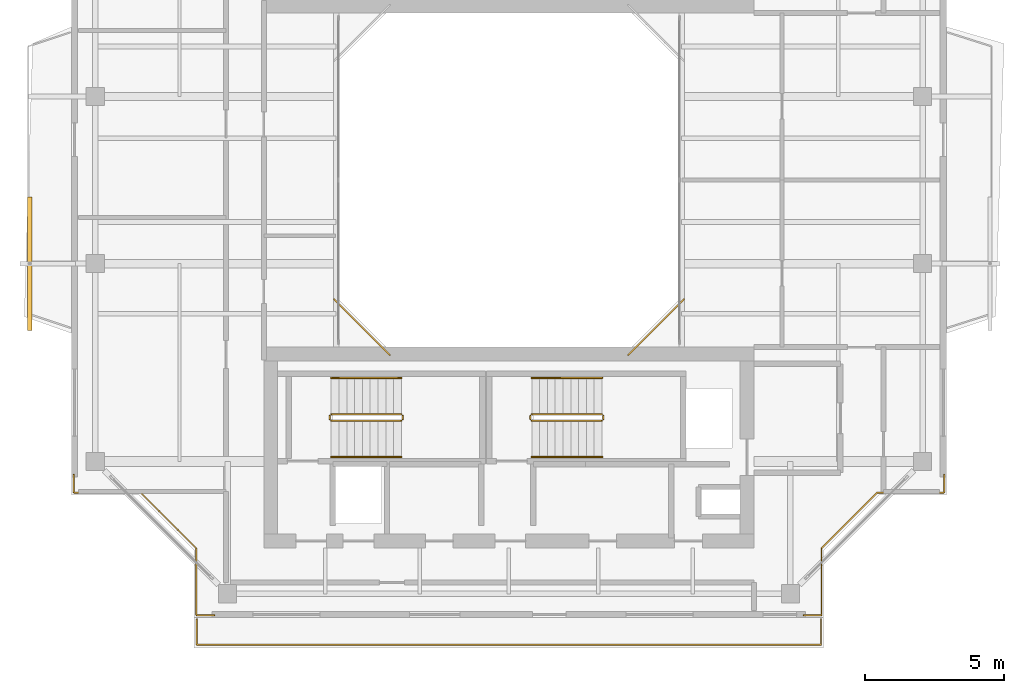
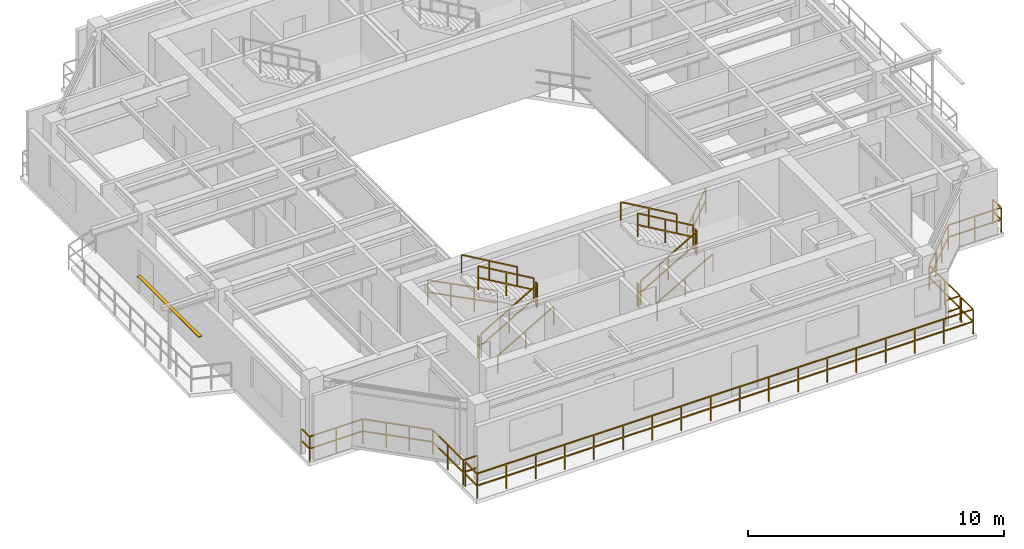
# One storey, part 13 of 15: 17 railings, 1 shading device.
"""IFC4 building model written with IfcOpenShell, lengths in metres."""

from ifc_helpers import new_model, si_unit, direction, frame, origin, origin_2d, place, context, subcontext, project, spatial, rectangle, extrude, source, transform, mapped, material, material_profile, profile_set, type_object, element, save


model = new_model("IFC4")

# Units and contexts
model_context = context("Model", 3, precision=1e-05, world=origin(), true_north=direction((0.0, 1.0)))
body_context = subcontext(model_context, "Body", "Model", "MODEL_VIEW")
ifc_project = project(units=[si_unit("LENGTHUNIT", "METRE"), si_unit("AREAUNIT", "SQUARE_METRE"), si_unit("VOLUMEUNIT", "CUBIC_METRE"), si_unit("PLANEANGLEUNIT", "RADIAN"), si_unit("MASSUNIT", "GRAM", prefix="KILO"), si_unit("THERMODYNAMICTEMPERATUREUNIT", "KELVIN"), si_unit("POWERUNIT", "WATT")], contexts=[model_context])

# Site, building, storey
site_placement = place(None, origin())
site = spatial("IfcSite", under=ifc_project, at=site_placement, CompositionType="ELEMENT")
building_placement = place(site_placement, origin())
building = spatial("IfcBuilding", under=site, at=building_placement, Name="Qiaomeng Ring Towers", CompositionType="ELEMENT")
storey_placement = place(building_placement, frame((0.0, 0.0, 237.25)))
storey = spatial("IfcBuildingStorey", under=building, at=storey_placement, Name="L69", CompositionType="ELEMENT", Elevation=237.25)

# Railings
ifc_material_1 = material(Name="Low-E pale-green laminated safety glass", Category="glass")
railing_type_1 = type_object("IfcRailingType", Name="ARC-RL-BAL1", PredefinedType="BALUSTRADE", material=ifc_material_1)
railing_1_placement = place(storey_placement, frame((23.280029296875, 16.719970703125, 0.0)))
element("IfcRailing", 1, at=railing_1_placement, inside=storey, type_object=railing_type_1, Name="L69 Balustrade ARC-BAL-WELL1-L69-1", PredefinedType="BALUSTRADE", context=body_context, shape_type="SweptSolid", body=[
    extrude(rectangle(XDim=0.048095703125, YDim=0.048095703125, at=origin_2d()), frame((0.0, 0.0, 1.17578125), z_axis=(0.707106781187, 0.707106781187, 0.0), x_axis=(-0.707106781187, 0.707106781187, 0.0)), (0.0, 0.0, 1.0), 2.828369140625),
    extrude(rectangle(XDim=0.048095703125, YDim=0.048095703125, at=origin_2d()), frame((0.0, 0.0, 0.60009765625), z_axis=(0.707106781187, 0.707106781187, 0.0), x_axis=(-0.707106781187, 0.707106781187, 0.0)), (0.0, 0.0, 1.0), 2.828369140625),
    extrude(rectangle(XDim=0.0419921875, YDim=0.0419921875, at=origin_2d()), origin(), (0.0, 0.0, 1.0), 1.15185546875),
    extrude(rectangle(XDim=0.0419921875, YDim=0.0419921875, at=origin_2d()), frame((0.666748046875, 0.666748046875, 0.0)), (0.0, 0.0, 1.0), 1.15185546875),
    extrude(rectangle(XDim=0.0419921875, YDim=0.0419921875, at=origin_2d()), frame((1.333251953125, 1.333251953125, 0.0)), (0.0, 0.0, 1.0), 1.15185546875),
    extrude(rectangle(XDim=0.0419921875, YDim=0.0419921875, at=origin_2d()), frame((2.0, 2.0, 0.0)), (0.0, 0.0, 1.0), 1.15185546875),
])
railing_2_placement = place(storey_placement, frame((12.719970703125, 18.719970703125, 0.0)))
element("IfcRailing", 2, at=railing_2_placement, inside=storey, type_object=railing_type_1, Name="L69 Balustrade ARC-BAL-WELL1-L69-4", PredefinedType="BALUSTRADE", context=body_context, shape_type="SweptSolid", body=[
    extrude(rectangle(XDim=0.048095703125, YDim=0.048095703125, at=origin_2d()), frame((0.0, 0.0, 1.17578125), z_axis=(0.707106781187, -0.707106781187, 0.0), x_axis=(0.707106781187, 0.707106781187, 0.0)), (0.0, 0.0, 1.0), 2.828369140625),
    extrude(rectangle(XDim=0.048095703125, YDim=0.048095703125, at=origin_2d()), frame((0.0, 0.0, 0.60009765625), z_axis=(0.707106781187, -0.707106781187, 0.0), x_axis=(0.707106781187, 0.707106781187, 0.0)), (0.0, 0.0, 1.0), 2.828369140625),
    extrude(rectangle(XDim=0.0419921875, YDim=0.0419921875, at=origin_2d()), origin(), (0.0, 0.0, 1.0), 1.15185546875),
    extrude(rectangle(XDim=0.0419921875, YDim=0.0419921875, at=origin_2d()), frame((0.666748046875, -0.666748046875, 0.0)), (0.0, 0.0, 1.0), 1.15185546875),
    extrude(rectangle(XDim=0.0419921875, YDim=0.0419921875, at=origin_2d()), frame((1.333251953125, -1.333251953125, 0.0)), (0.0, 0.0, 1.0), 1.15185546875),
    extrude(rectangle(XDim=0.0419921875, YDim=0.0419921875, at=origin_2d()), frame((2.0, -2.0, 0.0)), (0.0, 0.0, 1.0), 1.15185546875),
])
railing_3_placement = place(storey_placement, frame((29.570068359375, 7.3798828125, 0.0)))
element("IfcRailing", 3, at=railing_3_placement, inside=storey, type_object=railing_type_1, Name="L69 Balustrade ARC-BAL-NOTCH1-L69-SE", PredefinedType="BALUSTRADE", context=body_context, shape_type="SweptSolid", body=[
    extrude(rectangle(XDim=0.048095703125, YDim=0.048095703125, at=origin_2d()), frame((0.0, 0.0, 1.17578125), z_axis=(1.0, 0.0, 0.0), x_axis=(0.0, 1.0, 0.0)), (0.0, 0.0, 1.0), 0.64990234375),
    extrude(rectangle(XDim=0.048095703125, YDim=0.048095703125, at=origin_2d()), frame((0.0, 0.0, 0.60009765625), z_axis=(1.0, 0.0, 0.0), x_axis=(0.0, 1.0, 0.0)), (0.0, 0.0, 1.0), 0.64990234375),
    extrude(rectangle(XDim=0.048095703125, YDim=0.048095703125, at=origin_2d()), frame((0.64990234375, 0.0, 1.17578125), z_axis=(0.0, 1.0, 0.0), x_axis=(-1.0, 0.0, 0.0)), (0.0, 0.0, 1.0), 2.400146484375),
    extrude(rectangle(XDim=0.048095703125, YDim=0.048095703125, at=origin_2d()), frame((0.64990234375, 0.0, 0.60009765625), z_axis=(0.0, 1.0, 0.0), x_axis=(-1.0, 0.0, 0.0)), (0.0, 0.0, 1.0), 2.400146484375),
    extrude(rectangle(XDim=0.048095703125, YDim=0.048095703125, at=origin_2d()), frame((0.64990234375, 2.400146484375, 1.17578125), z_axis=(0.707106781187, 0.707106781187, 0.0), x_axis=(-0.707106781187, 0.707106781187, 0.0)), (0.0, 0.0, 1.0), 2.828369140625),
    extrude(rectangle(XDim=0.048095703125, YDim=0.048095703125, at=origin_2d()), frame((0.64990234375, 2.400146484375, 0.60009765625), z_axis=(0.707106781187, 0.707106781187, 0.0), x_axis=(-0.707106781187, 0.707106781187, 0.0)), (0.0, 0.0, 1.0), 2.828369140625),
    extrude(rectangle(XDim=0.048095703125, YDim=0.048095703125, at=origin_2d()), frame((2.64990234375, 4.400146484375, 1.17578125), z_axis=(1.0, 0.0, 0.0), x_axis=(0.0, 1.0, 0.0)), (0.0, 0.0, 1.0), 2.400146484375),
    extrude(rectangle(XDim=0.048095703125, YDim=0.048095703125, at=origin_2d()), frame((2.64990234375, 4.400146484375, 0.60009765625), z_axis=(1.0, 0.0, 0.0), x_axis=(0.0, 1.0, 0.0)), (0.0, 0.0, 1.0), 2.400146484375),
    extrude(rectangle(XDim=0.048095703125, YDim=0.048095703125, at=origin_2d()), frame((5.050048828125, 4.400146484375, 1.17578125), z_axis=(0.0, 1.0, 0.0), x_axis=(-1.0, 0.0, 0.0)), (0.0, 0.0, 1.0), 0.64990234375),
    extrude(rectangle(XDim=0.048095703125, YDim=0.048095703125, at=origin_2d()), frame((5.050048828125, 4.400146484375, 0.60009765625), z_axis=(0.0, 1.0, 0.0), x_axis=(-1.0, 0.0, 0.0)), (0.0, 0.0, 1.0), 0.64990234375),
    extrude(rectangle(XDim=0.0419921875, YDim=0.0419921875, at=origin_2d()), origin(), (0.0, 0.0, 1.0), 1.15185546875),
    extrude(rectangle(XDim=0.0419921875, YDim=0.0419921875, at=origin_2d()), frame((0.64990234375, 0.0, 0.0)), (0.0, 0.0, 1.0), 1.15185546875),
    extrude(rectangle(XDim=0.0419921875, YDim=0.0419921875, at=origin_2d()), frame((0.64990234375, 1.2001953125, 0.0)), (0.0, 0.0, 1.0), 1.15185546875),
    extrude(rectangle(XDim=0.0419921875, YDim=0.0419921875, at=origin_2d()), frame((0.64990234375, 2.400146484375, 0.0)), (0.0, 0.0, 1.0), 1.15185546875),
    extrude(rectangle(XDim=0.0419921875, YDim=0.0419921875, at=origin_2d()), frame((1.316650390625, 3.06689453125, 0.0)), (0.0, 0.0, 1.0), 1.15185546875),
    extrude(rectangle(XDim=0.0419921875, YDim=0.0419921875, at=origin_2d()), frame((1.983154296875, 3.7333984375, 0.0)), (0.0, 0.0, 1.0), 1.15185546875),
    extrude(rectangle(XDim=0.0419921875, YDim=0.0419921875, at=origin_2d()), frame((2.64990234375, 4.400146484375, 0.0)), (0.0, 0.0, 1.0), 1.15185546875),
    extrude(rectangle(XDim=0.0419921875, YDim=0.0419921875, at=origin_2d()), frame((3.85009765625, 4.400146484375, 0.0)), (0.0, 0.0, 1.0), 1.15185546875),
    extrude(rectangle(XDim=0.0419921875, YDim=0.0419921875, at=origin_2d()), frame((5.050048828125, 4.400146484375, 0.0)), (0.0, 0.0, 1.0), 1.15185546875),
    extrude(rectangle(XDim=0.0419921875, YDim=0.0419921875, at=origin_2d()), frame((5.050048828125, 5.050048828125, 0.0)), (0.0, 0.0, 1.0), 1.15185546875),
])
railing_4_placement = place(storey_placement, frame((3.3798828125, 12.429931640625, 0.0)))
element("IfcRailing", 4, at=railing_4_placement, inside=storey, type_object=railing_type_1, Name="L69 Balustrade ARC-BAL-NOTCH1-L69-SW", PredefinedType="BALUSTRADE", context=body_context, shape_type="SweptSolid", body=[
    extrude(rectangle(XDim=0.048095703125, YDim=0.048095703125, at=origin_2d()), frame((0.0, 0.0, 1.17578125), z_axis=(0.0, -1.0, 0.0), x_axis=(1.0, 0.0, 0.0)), (0.0, 0.0, 1.0), 0.64990234375),
    extrude(rectangle(XDim=0.048095703125, YDim=0.048095703125, at=origin_2d()), frame((0.0, 0.0, 0.60009765625), z_axis=(0.0, -1.0, 0.0), x_axis=(1.0, 0.0, 0.0)), (0.0, 0.0, 1.0), 0.64990234375),
    extrude(rectangle(XDim=0.048095703125, YDim=0.048095703125, at=origin_2d()), frame((0.0, -0.64990234375, 1.17578125), z_axis=(1.0, 0.0, 0.0), x_axis=(0.0, 1.0, 0.0)), (0.0, 0.0, 1.0), 2.400146484375),
    extrude(rectangle(XDim=0.048095703125, YDim=0.048095703125, at=origin_2d()), frame((0.0, -0.64990234375, 0.60009765625), z_axis=(1.0, 0.0, 0.0), x_axis=(0.0, 1.0, 0.0)), (0.0, 0.0, 1.0), 2.400146484375),
    extrude(rectangle(XDim=0.048095703125, YDim=0.048095703125, at=origin_2d()), frame((2.400146484375, -0.64990234375, 1.17578125), z_axis=(0.707106781187, -0.707106781187, 0.0), x_axis=(0.707106781187, 0.707106781187, 0.0)), (0.0, 0.0, 1.0), 2.828369140625),
    extrude(rectangle(XDim=0.048095703125, YDim=0.048095703125, at=origin_2d()), frame((2.400146484375, -0.64990234375, 0.60009765625), z_axis=(0.707106781187, -0.707106781187, 0.0), x_axis=(0.707106781187, 0.707106781187, 0.0)), (0.0, 0.0, 1.0), 2.828369140625),
    extrude(rectangle(XDim=0.048095703125, YDim=0.048095703125, at=origin_2d()), frame((4.400146484375, -2.64990234375, 1.17578125), z_axis=(0.0, -1.0, 0.0), x_axis=(1.0, 0.0, 0.0)), (0.0, 0.0, 1.0), 2.400146484375),
    extrude(rectangle(XDim=0.048095703125, YDim=0.048095703125, at=origin_2d()), frame((4.400146484375, -2.64990234375, 0.60009765625), z_axis=(0.0, -1.0, 0.0), x_axis=(1.0, 0.0, 0.0)), (0.0, 0.0, 1.0), 2.400146484375),
    extrude(rectangle(XDim=0.048095703125, YDim=0.048095703125, at=origin_2d()), frame((4.400146484375, -5.050048828125, 1.17578125), z_axis=(1.0, 0.0, 0.0), x_axis=(0.0, 1.0, 0.0)), (0.0, 0.0, 1.0), 0.64990234375),
    extrude(rectangle(XDim=0.048095703125, YDim=0.048095703125, at=origin_2d()), frame((4.400146484375, -5.050048828125, 0.60009765625), z_axis=(1.0, 0.0, 0.0), x_axis=(0.0, 1.0, 0.0)), (0.0, 0.0, 1.0), 0.64990234375),
    extrude(rectangle(XDim=0.0419921875, YDim=0.0419921875, at=origin_2d()), origin(), (0.0, 0.0, 1.0), 1.15185546875),
    extrude(rectangle(XDim=0.0419921875, YDim=0.0419921875, at=origin_2d()), frame((0.0, -0.64990234375, 0.0)), (0.0, 0.0, 1.0), 1.15185546875),
    extrude(rectangle(XDim=0.0419921875, YDim=0.0419921875, at=origin_2d()), frame((1.2001953125, -0.64990234375, 0.0)), (0.0, 0.0, 1.0), 1.15185546875),
    extrude(rectangle(XDim=0.0419921875, YDim=0.0419921875, at=origin_2d()), frame((2.400146484375, -0.64990234375, 0.0)), (0.0, 0.0, 1.0), 1.15185546875),
    extrude(rectangle(XDim=0.0419921875, YDim=0.0419921875, at=origin_2d()), frame((3.06689453125, -1.316650390625, 0.0)), (0.0, 0.0, 1.0), 1.15185546875),
    extrude(rectangle(XDim=0.0419921875, YDim=0.0419921875, at=origin_2d()), frame((3.7333984375, -1.983154296875, 0.0)), (0.0, 0.0, 1.0), 1.15185546875),
    extrude(rectangle(XDim=0.0419921875, YDim=0.0419921875, at=origin_2d()), frame((4.400146484375, -2.64990234375, 0.0)), (0.0, 0.0, 1.0), 1.15185546875),
    extrude(rectangle(XDim=0.0419921875, YDim=0.0419921875, at=origin_2d()), frame((4.400146484375, -3.85009765625, 0.0)), (0.0, 0.0, 1.0), 1.15185546875),
    extrude(rectangle(XDim=0.0419921875, YDim=0.0419921875, at=origin_2d()), frame((4.400146484375, -5.050048828125, 0.0)), (0.0, 0.0, 1.0), 1.15185546875),
    extrude(rectangle(XDim=0.0419921875, YDim=0.0419921875, at=origin_2d()), frame((5.050048828125, -5.050048828125, 0.0)), (0.0, 0.0, 1.0), 1.15185546875),
])
railing_5_placement = place(storey_placement, frame((7.800048828125, 7.25, 0.0)))
element("IfcRailing", 5, at=railing_5_placement, inside=storey, type_object=railing_type_1, Name="L69 Balustrade ARC-BAL-L69-SETBACK", PredefinedType="BALUSTRADE", context=body_context, shape_type="SweptSolid", body=[
    extrude(rectangle(XDim=0.048095703125, YDim=0.048095703125, at=origin_2d()), frame((0.0, 0.0, 1.17578125), z_axis=(0.0, -1.0, 0.0), x_axis=(1.0, 0.0, 0.0)), (0.0, 0.0, 1.0), 0.929931640625),
    extrude(rectangle(XDim=0.048095703125, YDim=0.048095703125, at=origin_2d()), frame((0.0, 0.0, 0.60009765625), z_axis=(0.0, -1.0, 0.0), x_axis=(1.0, 0.0, 0.0)), (0.0, 0.0, 1.0), 0.929931640625),
    extrude(rectangle(XDim=0.048095703125, YDim=0.048095703125, at=origin_2d()), frame((0.0, -0.929931640625, 1.17578125), z_axis=(1.0, 0.0, 0.0), x_axis=(0.0, 1.0, 0.0)), (0.0, 0.0, 1.0), 22.39990234375),
    extrude(rectangle(XDim=0.048095703125, YDim=0.048095703125, at=origin_2d()), frame((0.0, -0.929931640625, 0.60009765625), z_axis=(1.0, 0.0, 0.0), x_axis=(0.0, 1.0, 0.0)), (0.0, 0.0, 1.0), 22.39990234375),
    extrude(rectangle(XDim=0.048095703125, YDim=0.048095703125, at=origin_2d()), frame((22.39990234375, -0.929931640625, 1.17578125), z_axis=(0.0, 1.0, 0.0), x_axis=(-1.0, 0.0, 0.0)), (0.0, 0.0, 1.0), 0.929931640625),
    extrude(rectangle(XDim=0.048095703125, YDim=0.048095703125, at=origin_2d()), frame((22.39990234375, -0.929931640625, 0.60009765625), z_axis=(0.0, 1.0, 0.0), x_axis=(-1.0, 0.0, 0.0)), (0.0, 0.0, 1.0), 0.929931640625),
    extrude(rectangle(XDim=0.0419921875, YDim=0.0419921875, at=origin_2d()), origin(), (0.0, 0.0, 1.0), 1.15185546875),
    extrude(rectangle(XDim=0.0419921875, YDim=0.0419921875, at=origin_2d()), frame((0.0, -0.929931640625, 0.0)), (0.0, 0.0, 1.0), 1.15185546875),
    extrude(rectangle(XDim=0.0419921875, YDim=0.0419921875, at=origin_2d()), frame((1.317626953125, -0.929931640625, 0.0)), (0.0, 0.0, 1.0), 1.15185546875),
    extrude(rectangle(XDim=0.0419921875, YDim=0.0419921875, at=origin_2d()), frame((2.63525390625, -0.929931640625, 0.0)), (0.0, 0.0, 1.0), 1.15185546875),
    extrude(rectangle(XDim=0.0419921875, YDim=0.0419921875, at=origin_2d()), frame((3.952880859375, -0.929931640625, 0.0)), (0.0, 0.0, 1.0), 1.15185546875),
    extrude(rectangle(XDim=0.0419921875, YDim=0.0419921875, at=origin_2d()), frame((5.2705078125, -0.929931640625, 0.0)), (0.0, 0.0, 1.0), 1.15185546875),
    extrude(rectangle(XDim=0.0419921875, YDim=0.0419921875, at=origin_2d()), frame((6.588134765625, -0.929931640625, 0.0)), (0.0, 0.0, 1.0), 1.15185546875),
    extrude(rectangle(XDim=0.0419921875, YDim=0.0419921875, at=origin_2d()), frame((7.90576171875, -0.929931640625, 0.0)), (0.0, 0.0, 1.0), 1.15185546875),
    extrude(rectangle(XDim=0.0419921875, YDim=0.0419921875, at=origin_2d()), frame((9.223388671875, -0.929931640625, 0.0)), (0.0, 0.0, 1.0), 1.15185546875),
    extrude(rectangle(XDim=0.0419921875, YDim=0.0419921875, at=origin_2d()), frame((10.541015625, -0.929931640625, 0.0)), (0.0, 0.0, 1.0), 1.15185546875),
    extrude(rectangle(XDim=0.0419921875, YDim=0.0419921875, at=origin_2d()), frame((11.85888671875, -0.929931640625, 0.0)), (0.0, 0.0, 1.0), 1.15185546875),
    extrude(rectangle(XDim=0.0419921875, YDim=0.0419921875, at=origin_2d()), frame((13.176513671875, -0.929931640625, 0.0)), (0.0, 0.0, 1.0), 1.15185546875),
    extrude(rectangle(XDim=0.0419921875, YDim=0.0419921875, at=origin_2d()), frame((14.494140625, -0.929931640625, 0.0)), (0.0, 0.0, 1.0), 1.15185546875),
    extrude(rectangle(XDim=0.0419921875, YDim=0.0419921875, at=origin_2d()), frame((15.811767578125, -0.929931640625, 0.0)), (0.0, 0.0, 1.0), 1.15185546875),
    extrude(rectangle(XDim=0.0419921875, YDim=0.0419921875, at=origin_2d()), frame((17.12939453125, -0.929931640625, 0.0)), (0.0, 0.0, 1.0), 1.15185546875),
    extrude(rectangle(XDim=0.0419921875, YDim=0.0419921875, at=origin_2d()), frame((18.447021484375, -0.929931640625, 0.0)), (0.0, 0.0, 1.0), 1.15185546875),
    extrude(rectangle(XDim=0.0419921875, YDim=0.0419921875, at=origin_2d()), frame((19.7646484375, -0.929931640625, 0.0)), (0.0, 0.0, 1.0), 1.15185546875),
    extrude(rectangle(XDim=0.0419921875, YDim=0.0419921875, at=origin_2d()), frame((21.082275390625, -0.929931640625, 0.0)), (0.0, 0.0, 1.0), 1.15185546875),
    extrude(rectangle(XDim=0.0419921875, YDim=0.0419921875, at=origin_2d()), frame((22.39990234375, -0.929931640625, 0.0)), (0.0, 0.0, 1.0), 1.15185546875),
    extrude(rectangle(XDim=0.0419921875, YDim=0.0419921875, at=origin_2d()), frame((22.39990234375, 0.0, 0.0)), (0.0, 0.0, 1.0), 1.15185546875),
])
ifc_material_2 = material(Name="Galvanised steel", Category="steel")
railing_type_2 = type_object("IfcRailingType", Name="ARC-RL-GUARD", PredefinedType="GUARDRAIL", material=ifc_material_2)
railing_6_placement = place(storey_placement, frame((12.6201171875, 14.360107421875, 0.16259765625)))
element("IfcRailing", 6, at=railing_6_placement, inside=storey, type_object=railing_type_2, Name="L69 ST3 stair guard 1", PredefinedType="GUARDRAIL", context=body_context, shape_type="SweptSolid", body=[
    extrude(rectangle(XDim=0.048095703125, YDim=0.048095703125, at=origin_2d()), frame((0.0, 0.0, 1.1259765625), z_axis=(0.864892226395, 0.0, 0.501957604506), x_axis=(0.0, 1.0, 0.0)), (0.0, 0.0, 1.0), 2.913330078125),
    extrude(rectangle(XDim=0.048095703125, YDim=0.048095703125, at=origin_2d()), frame((0.0, 0.0, 0.574951171875), z_axis=(0.864892226395, 0.0, 0.501957604506), x_axis=(0.0, 1.0, 0.0)), (0.0, 0.0, 1.0), 2.913330078125),
    extrude(rectangle(XDim=0.0419921875, YDim=0.0419921875, at=origin_2d()), origin(), (0.0, 0.0, 1.0), 1.101806640625),
    extrude(rectangle(XDim=0.0419921875, YDim=0.0419921875, at=origin_2d()), frame((1.259765625, 0.0, 0.731201171875)), (0.0, 0.0, 1.0), 1.101806640625),
    extrude(rectangle(XDim=0.0419921875, YDim=0.0419921875, at=origin_2d()), frame((2.519775390625, 0.0, 1.46240234375)), (0.0, 0.0, 1.0), 1.101806640625),
])
railing_7_placement = place(storey_placement, frame((15.18994140625, 14.409912109375, 1.625)))
element("IfcRailing", 7, at=railing_7_placement, inside=storey, type_object=railing_type_2, Name="L69 ST3 stair guard 2", PredefinedType="GUARDRAIL", context=body_context, shape_type="SweptSolid", body=[
    extrude(rectangle(XDim=0.048095703125, YDim=0.048095703125, at=origin_2d()), frame((0.0, 0.0, 1.1259765625), z_axis=(0.0, 1.0, 0.0), x_axis=(-1.0, 0.0, 0.0)), (0.0, 0.0, 1.0), 0.14013671875),
    extrude(rectangle(XDim=0.048095703125, YDim=0.048095703125, at=origin_2d()), frame((0.0, 0.0, 0.574951171875), z_axis=(0.0, 1.0, 0.0), x_axis=(-1.0, 0.0, 0.0)), (0.0, 0.0, 1.0), 0.14013671875),
    extrude(rectangle(XDim=0.0419921875, YDim=0.0419921875, at=origin_2d()), origin(), (0.0, 0.0, 1.0), 1.101806640625),
    extrude(rectangle(XDim=0.0419921875, YDim=0.0419921875, at=origin_2d()), frame((0.0, 0.14013671875, 0.0)), (0.0, 0.0, 1.0), 1.101806640625),
])
railing_8_placement = place(storey_placement, frame((15.139892578125, 14.60009765625, 1.78759765625)))
element("IfcRailing", 8, at=railing_8_placement, inside=storey, type_object=railing_type_2, Name="L69 ST3 stair guard 3", PredefinedType="GUARDRAIL", context=body_context, shape_type="SweptSolid", body=[
    extrude(rectangle(XDim=0.048095703125, YDim=0.048095703125, at=origin_2d()), frame((0.0, 0.0, 1.1259765625), z_axis=(-0.864892226395, 0.0, 0.501957604506), x_axis=(0.0, -1.0, 0.0)), (0.0, 0.0, 1.0), 2.913330078125),
    extrude(rectangle(XDim=0.048095703125, YDim=0.048095703125, at=origin_2d()), frame((0.0, 0.0, 0.574951171875), z_axis=(-0.864892226395, 0.0, 0.501957604506), x_axis=(0.0, -1.0, 0.0)), (0.0, 0.0, 1.0), 2.913330078125),
    extrude(rectangle(XDim=0.0419921875, YDim=0.0419921875, at=origin_2d()), origin(), (0.0, 0.0, 1.0), 1.101806640625),
    extrude(rectangle(XDim=0.0419921875, YDim=0.0419921875, at=origin_2d()), frame((-1.259765625, 0.0, 0.731201171875)), (0.0, 0.0, 1.0), 1.101806640625),
    extrude(rectangle(XDim=0.0419921875, YDim=0.0419921875, at=origin_2d()), frame((-2.519775390625, 0.0, 1.46240234375)), (0.0, 0.0, 1.0), 1.101806640625),
])
railing_9_placement = place(storey_placement, frame((12.570068359375, 14.409912109375, 0.0)))
element("IfcRailing", 9, at=railing_9_placement, inside=storey, type_object=railing_type_2, Name="L69 ST3 stair guard 4", PredefinedType="GUARDRAIL", context=body_context, shape_type="SweptSolid", body=[
    extrude(rectangle(XDim=0.048095703125, YDim=0.048095703125, at=origin_2d()), frame((0.0, 0.0, 1.1259765625), z_axis=(0.0, 1.0, 0.0), x_axis=(-1.0, 0.0, 0.0)), (0.0, 0.0, 1.0), 0.14013671875),
    extrude(rectangle(XDim=0.048095703125, YDim=0.048095703125, at=origin_2d()), frame((0.0, 0.0, 0.574951171875), z_axis=(0.0, 1.0, 0.0), x_axis=(-1.0, 0.0, 0.0)), (0.0, 0.0, 1.0), 0.14013671875),
    extrude(rectangle(XDim=0.0419921875, YDim=0.0419921875, at=origin_2d()), origin(), (0.0, 0.0, 1.0), 1.101806640625),
    extrude(rectangle(XDim=0.0419921875, YDim=0.0419921875, at=origin_2d()), frame((0.0, 0.14013671875, 0.0)), (0.0, 0.0, 1.0), 1.101806640625),
])
railing_10_placement = place(storey_placement, frame((19.820068359375, 14.360107421875, 0.16259765625)))
element("IfcRailing", 10, at=railing_10_placement, inside=storey, type_object=railing_type_2, Name="L69 ST4 stair guard 1", PredefinedType="GUARDRAIL", context=body_context, shape_type="SweptSolid", body=[
    extrude(rectangle(XDim=0.048095703125, YDim=0.048095703125, at=origin_2d()), frame((0.0, 0.0, 1.1259765625), z_axis=(0.864913338283, 0.0, 0.50192122615), x_axis=(0.0, 1.0, 0.0)), (0.0, 0.0, 1.0), 2.91357421875),
    extrude(rectangle(XDim=0.048095703125, YDim=0.048095703125, at=origin_2d()), frame((0.0, 0.0, 0.574951171875), z_axis=(0.864913338283, 0.0, 0.50192122615), x_axis=(0.0, 1.0, 0.0)), (0.0, 0.0, 1.0), 2.91357421875),
    extrude(rectangle(XDim=0.0419921875, YDim=0.0419921875, at=origin_2d()), origin(), (0.0, 0.0, 1.0), 1.101806640625),
    extrude(rectangle(XDim=0.0419921875, YDim=0.0419921875, at=origin_2d()), frame((1.260009765625, 0.0, 0.731201171875)), (0.0, 0.0, 1.0), 1.101806640625),
    extrude(rectangle(XDim=0.0419921875, YDim=0.0419921875, at=origin_2d()), frame((2.52001953125, 0.0, 1.46240234375)), (0.0, 0.0, 1.0), 1.101806640625),
])
railing_11_placement = place(storey_placement, frame((22.389892578125, 14.409912109375, 1.625)))
element("IfcRailing", 11, at=railing_11_placement, inside=storey, type_object=railing_type_2, Name="L69 ST4 stair guard 2", PredefinedType="GUARDRAIL", context=body_context, shape_type="SweptSolid", body=[
    extrude(rectangle(XDim=0.048095703125, YDim=0.048095703125, at=origin_2d()), frame((0.0, 0.0, 1.1259765625), z_axis=(0.0, 1.0, 0.0), x_axis=(-1.0, 0.0, 0.0)), (0.0, 0.0, 1.0), 0.14013671875),
    extrude(rectangle(XDim=0.048095703125, YDim=0.048095703125, at=origin_2d()), frame((0.0, 0.0, 0.574951171875), z_axis=(0.0, 1.0, 0.0), x_axis=(-1.0, 0.0, 0.0)), (0.0, 0.0, 1.0), 0.14013671875),
    extrude(rectangle(XDim=0.0419921875, YDim=0.0419921875, at=origin_2d()), origin(), (0.0, 0.0, 1.0), 1.101806640625),
    extrude(rectangle(XDim=0.0419921875, YDim=0.0419921875, at=origin_2d()), frame((0.0, 0.14013671875, 0.0)), (0.0, 0.0, 1.0), 1.101806640625),
])
railing_12_placement = place(storey_placement, frame((22.340087890625, 14.60009765625, 1.78759765625)))
element("IfcRailing", 12, at=railing_12_placement, inside=storey, type_object=railing_type_2, Name="L69 ST4 stair guard 3", PredefinedType="GUARDRAIL", context=body_context, shape_type="SweptSolid", body=[
    extrude(rectangle(XDim=0.048095703125, YDim=0.048095703125, at=origin_2d()), frame((0.0, 0.0, 1.1259765625), z_axis=(-0.864913338283, 0.0, 0.50192122615), x_axis=(0.0, -1.0, 0.0)), (0.0, 0.0, 1.0), 2.91357421875),
    extrude(rectangle(XDim=0.048095703125, YDim=0.048095703125, at=origin_2d()), frame((0.0, 0.0, 0.574951171875), z_axis=(-0.864913338283, 0.0, 0.50192122615), x_axis=(0.0, -1.0, 0.0)), (0.0, 0.0, 1.0), 2.91357421875),
    extrude(rectangle(XDim=0.0419921875, YDim=0.0419921875, at=origin_2d()), origin(), (0.0, 0.0, 1.0), 1.101806640625),
    extrude(rectangle(XDim=0.0419921875, YDim=0.0419921875, at=origin_2d()), frame((-1.260009765625, 0.0, 0.731201171875)), (0.0, 0.0, 1.0), 1.101806640625),
    extrude(rectangle(XDim=0.0419921875, YDim=0.0419921875, at=origin_2d()), frame((-2.52001953125, 0.0, 1.46240234375)), (0.0, 0.0, 1.0), 1.101806640625),
])
railing_13_placement = place(storey_placement, frame((19.77001953125, 14.409912109375, 0.0)))
element("IfcRailing", 13, at=railing_13_placement, inside=storey, type_object=railing_type_2, Name="L69 ST4 stair guard 4", PredefinedType="GUARDRAIL", context=body_context, shape_type="SweptSolid", body=[
    extrude(rectangle(XDim=0.048095703125, YDim=0.048095703125, at=origin_2d()), frame((0.0, 0.0, 1.1259765625), z_axis=(0.0, 1.0, 0.0), x_axis=(-1.0, 0.0, 0.0)), (0.0, 0.0, 1.0), 0.14013671875),
    extrude(rectangle(XDim=0.048095703125, YDim=0.048095703125, at=origin_2d()), frame((0.0, 0.0, 0.574951171875), z_axis=(0.0, 1.0, 0.0), x_axis=(-1.0, 0.0, 0.0)), (0.0, 0.0, 1.0), 0.14013671875),
    extrude(rectangle(XDim=0.0419921875, YDim=0.0419921875, at=origin_2d()), origin(), (0.0, 0.0, 1.0), 1.101806640625),
    extrude(rectangle(XDim=0.0419921875, YDim=0.0419921875, at=origin_2d()), frame((0.0, 0.14013671875, 0.0)), (0.0, 0.0, 1.0), 1.101806640625),
])
ifc_material_3 = material(Name="Stainless steel 316", Category="steel")
railing_type_3 = type_object("IfcRailingType", Name="ARC-RL-HAND", PredefinedType="HANDRAIL", material=ifc_material_3)
railing_14_placement = place(storey_placement, frame((12.6201171875, 13.06005859375, 0.16259765625)))
element("IfcRailing", 14, at=railing_14_placement, inside=storey, type_object=railing_type_3, Name="L69 ST3 stair handrail 1", PredefinedType="HANDRAIL", context=body_context, shape_type="SweptSolid", body=[
    extrude(rectangle(XDim=0.048095703125, YDim=0.048095703125, at=origin_2d()), frame((0.0, 0.0, 0.8759765625), z_axis=(0.864892226395, 0.0, 0.501957604506), x_axis=(0.0, 1.0, 0.0)), (0.0, 0.0, 1.0), 2.913330078125),
    extrude(rectangle(XDim=0.0419921875, YDim=0.0419921875, at=origin_2d()), origin(), (0.0, 0.0, 1.0), 0.851806640625),
    extrude(rectangle(XDim=0.0419921875, YDim=0.0419921875, at=origin_2d()), frame((1.259765625, 0.0, 0.731201171875)), (0.0, 0.0, 1.0), 0.851806640625),
    extrude(rectangle(XDim=0.0419921875, YDim=0.0419921875, at=origin_2d()), frame((2.519775390625, 0.0, 1.46240234375)), (0.0, 0.0, 1.0), 0.851806640625),
])
railing_15_placement = place(storey_placement, frame((15.139892578125, 15.89990234375, 1.78759765625)))
element("IfcRailing", 15, at=railing_15_placement, inside=storey, type_object=railing_type_3, Name="L69 ST3 stair handrail 2", PredefinedType="HANDRAIL", context=body_context, shape_type="SweptSolid", body=[
    extrude(rectangle(XDim=0.048095703125, YDim=0.048095703125, at=origin_2d()), frame((0.0, 0.0, 0.8759765625), z_axis=(-0.864892226395, 0.0, 0.501957604506), x_axis=(0.0, -1.0, 0.0)), (0.0, 0.0, 1.0), 2.913330078125),
    extrude(rectangle(XDim=0.0419921875, YDim=0.0419921875, at=origin_2d()), origin(), (0.0, 0.0, 1.0), 0.851806640625),
    extrude(rectangle(XDim=0.0419921875, YDim=0.0419921875, at=origin_2d()), frame((-1.259765625, 0.0, 0.731201171875)), (0.0, 0.0, 1.0), 0.851806640625),
    extrude(rectangle(XDim=0.0419921875, YDim=0.0419921875, at=origin_2d()), frame((-2.519775390625, 0.0, 1.46240234375)), (0.0, 0.0, 1.0), 0.851806640625),
])
railing_16_placement = place(storey_placement, frame((19.820068359375, 13.06005859375, 0.16259765625)))
element("IfcRailing", 16, at=railing_16_placement, inside=storey, type_object=railing_type_3, Name="L69 ST4 stair handrail 1", PredefinedType="HANDRAIL", context=body_context, shape_type="SweptSolid", body=[
    extrude(rectangle(XDim=0.048095703125, YDim=0.048095703125, at=origin_2d()), frame((0.0, 0.0, 0.8759765625), z_axis=(0.864913338283, 0.0, 0.50192122615), x_axis=(0.0, 1.0, 0.0)), (0.0, 0.0, 1.0), 2.91357421875),
    extrude(rectangle(XDim=0.0419921875, YDim=0.0419921875, at=origin_2d()), origin(), (0.0, 0.0, 1.0), 0.851806640625),
    extrude(rectangle(XDim=0.0419921875, YDim=0.0419921875, at=origin_2d()), frame((1.260009765625, 0.0, 0.731201171875)), (0.0, 0.0, 1.0), 0.851806640625),
    extrude(rectangle(XDim=0.0419921875, YDim=0.0419921875, at=origin_2d()), frame((2.52001953125, 0.0, 1.46240234375)), (0.0, 0.0, 1.0), 0.851806640625),
])
railing_17_placement = place(storey_placement, frame((22.340087890625, 15.89990234375, 1.78759765625)))
element("IfcRailing", 17, at=railing_17_placement, inside=storey, type_object=railing_type_3, Name="L69 ST4 stair handrail 2", PredefinedType="HANDRAIL", context=body_context, shape_type="SweptSolid", body=[
    extrude(rectangle(XDim=0.048095703125, YDim=0.048095703125, at=origin_2d()), frame((0.0, 0.0, 0.8759765625), z_axis=(-0.864913338283, 0.0, 0.50192122615), x_axis=(0.0, -1.0, 0.0)), (0.0, 0.0, 1.0), 2.91357421875),
    extrude(rectangle(XDim=0.0419921875, YDim=0.0419921875, at=origin_2d()), origin(), (0.0, 0.0, 1.0), 0.851806640625),
    extrude(rectangle(XDim=0.0419921875, YDim=0.0419921875, at=origin_2d()), frame((-1.260009765625, 0.0, 0.731201171875)), (0.0, 0.0, 1.0), 0.851806640625),
    extrude(rectangle(XDim=0.0419921875, YDim=0.0419921875, at=origin_2d()), frame((-2.52001953125, 0.0, 1.46240234375)), (0.0, 0.0, 1.0), 0.851806640625),
])

# Shading device
ifc_material_4 = material(Name="Fluorocarbon dark-grey aluminium", Category="aluminium")
ifc_material_profile = material_profile(ifc_material_4, rectangle(XDim=0.14990234375, YDim=0.034912109375, at=origin_2d()), Name="LV BLADE 150x35")
ifc_profile_set = profile_set([ifc_material_profile], Name="Fluorocarbon dark-grey aluminium")
shading_device_type = type_object("IfcShadingDeviceType", Name="ARC-SHD-SUN", PredefinedType="AWNING", material=ifc_profile_set)
shared_shape = source(origin(), body_context, "Body", "SweptSolid", [
    extrude(rectangle(XDim=0.14990234375, YDim=0.034912109375, at=origin_2d()), origin(), (0.0, 0.0, 1.0), 4.7998046875),
])
shading_device_placement = place(storey_placement, frame((1.800048828125, 17.60009765625, 2.969970703125), z_axis=(0.0, 1.0, 0.0), x_axis=(-1.0, 0.0, 0.0)))
element("IfcShadingDevice", 18, at=shading_device_placement, inside=storey, type_object=shading_device_type, Name="L69 Ventilated Outer-Skin Sunshade W", PredefinedType="AWNING", context=body_context, shape_type="MappedRepresentation", body=[
    mapped(shared_shape, transform((0.0, 0.0, 0.0), x_axis=(1.0, 0.0, 0.0), y_axis=(0.0, 1.0, 0.0), z_axis=(0.0, 0.0, 1.0), scale=1.0)),
])

save(model, "model.ifc")
